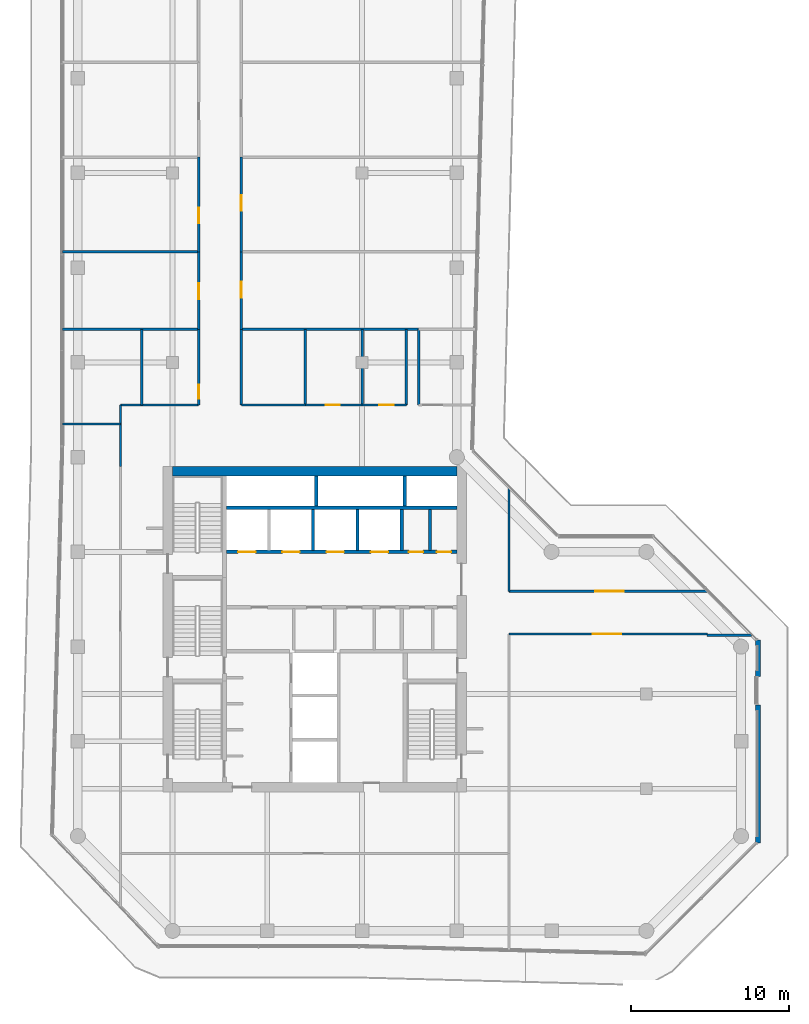
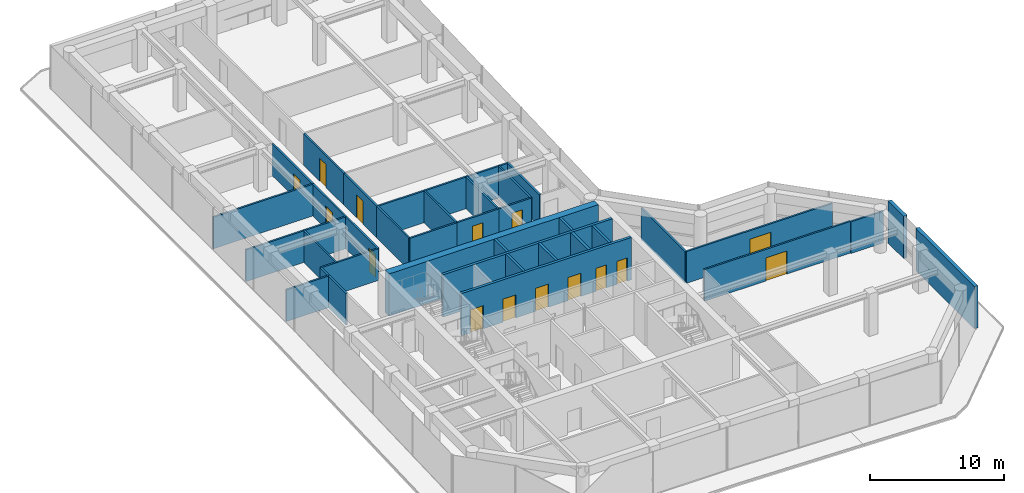
# One storey, part 16 of 19: 35 walls, 15 doors, 15 openings.
"""IFC4 building model written with IfcOpenShell, lengths in metres."""

from ifc_helpers import new_model, si_unit, direction, frame, frame_2d, origin, place, context, subcontext, project, spatial, rectangle, extrude, material, layer, layer_set, type_object, element, fill, save


model = new_model("IFC4")

# Units and contexts
model_context = context("Model", 3, precision=1e-05, world=origin(), true_north=direction((0.0, 1.0)))
body_context = subcontext(model_context, "Body", "Model", "MODEL_VIEW")
ifc_project = project(units=[si_unit("LENGTHUNIT", "METRE"), si_unit("AREAUNIT", "SQUARE_METRE"), si_unit("VOLUMEUNIT", "CUBIC_METRE"), si_unit("PLANEANGLEUNIT", "RADIAN"), si_unit("MASSUNIT", "GRAM", prefix="KILO")], contexts=[model_context])

# Site, building, storey
site_placement = place(None, origin())
site = spatial("IfcSite", under=ifc_project, at=site_placement, CompositionType="ELEMENT")
building_placement = place(site_placement, origin())
building = spatial("IfcBuilding", under=site, at=building_placement, Name="Welwitschia Terrace Campus", CompositionType="ELEMENT")
storey_placement = place(building_placement, frame((0.0, 0.0, 163.39990234375)))
storey = spatial("IfcBuildingStorey", under=building, at=storey_placement, Name="L36", CompositionType="ELEMENT", Elevation=163.39990234375)

# Wall
ifc_material_1 = material(Name="Concrete C32/40", Category="concrete")
ifc_layer_1 = layer(ifc_material_1, 0.175048828125)
ifc_layer_set_1 = layer_set([ifc_layer_1], Name="Concrete C32/40")
wall_type_1 = type_object("IfcWallType", Name="Core partition 175 Concrete C32/40", PredefinedType="PARTITIONING", material=ifc_layer_set_1)
wall_1_placement = place(storey_placement, frame((22.300048828125, 20.10009765625, 0.0), z_axis=(0.0, 0.0, 1.0), x_axis=(0.0, 1.0, 0.0)))
element("IfcWall", 1, at=wall_1_placement, inside=storey, type_object=wall_type_1, Name="Core partition", PredefinedType="PARTITIONING", context=body_context, shape_type="SweptSolid", body=[
    extrude(rectangle(XDim=2.599853515625, YDim=0.175048828125, at=frame_2d((1.2998046875, 0.0))), origin(), (0.0, 0.0, 1.0), 3.85009765625),
])

# Wall, openings, doors
ifc_material_2 = material(Name="Concrete C32/40", Category="concrete")
ifc_layer_2 = layer(ifc_material_2, 0.22509765625)
ifc_layer_set_2 = layer_set([ifc_layer_2], Name="Concrete C32/40")
wall_type_2 = type_object("IfcWallType", Name="Core partition 225 Concrete C32/40", PredefinedType="PARTITIONING", material=ifc_layer_set_2)
wall_2_placement = place(storey_placement, frame((24.0, 20.0, 0.0), z_axis=(0.0, 0.0, 1.0), x_axis=(-1.0, 0.0, 0.0)))
wall_2 = element("IfcWall", 2, at=wall_2_placement, inside=storey, type_object=wall_type_2, Name="Shaft wall", PredefinedType="PARTITIONING", context=body_context, shape_type="SweptSolid", body=[
    extrude(rectangle(XDim=14.60009765625, YDim=0.22509765625, at=frame_2d((7.300048828125, 0.0))), origin(), (0.0, 0.0, 1.0), 3.85009765625),
])
opening_1_placement = place(wall_2_placement, frame((12.75, 0.0, 0.0)))
opening_1 = element("IfcOpeningElement", 3, at=opening_1_placement, cuts=wall_2, Name="Opening LD", PredefinedType="OPENING", context=body_context, shape_type="SweptSolid", body=[
    extrude(rectangle(XDim=1.10009765625, YDim=2.10009765625, at=frame_2d((0.550048828125, 1.050048828125))), frame((0.0, 0.12255859375, 0.0), z_axis=(0.0, -1.0, 0.0), x_axis=(1.0, 0.0, 0.0)), (0.0, 0.0, 1.0), 0.2451171875),
])
opening_2_placement = place(wall_2_placement, frame((9.949951171875, 0.0, 0.0)))
opening_2 = element("IfcOpeningElement", 4, at=opening_2_placement, cuts=wall_2, Name="Opening LD", PredefinedType="OPENING", context=body_context, shape_type="SweptSolid", body=[
    extrude(rectangle(XDim=1.10009765625, YDim=2.10009765625, at=frame_2d((0.550048828125, 1.050048828125))), frame((0.0, 0.12255859375, 0.0), z_axis=(0.0, -1.0, 0.0), x_axis=(1.0, 0.0, 0.0)), (0.0, 0.0, 1.0), 0.2451171875),
])
opening_3_placement = place(wall_2_placement, frame((7.14990234375, 0.0, 0.0)))
opening_3 = element("IfcOpeningElement", 5, at=opening_3_placement, cuts=wall_2, Name="Opening LD", PredefinedType="OPENING", context=body_context, shape_type="SweptSolid", body=[
    extrude(rectangle(XDim=1.10009765625, YDim=2.10009765625, at=frame_2d((0.550048828125, 1.050048828125))), frame((0.0, 0.12255859375, 0.0), z_axis=(0.0, -1.0, 0.0), x_axis=(1.0, 0.0, 0.0)), (0.0, 0.0, 1.0), 0.2451171875),
])
opening_4_placement = place(wall_2_placement, frame((4.35009765625, 0.0, 0.0)))
opening_4 = element("IfcOpeningElement", 6, at=opening_4_placement, cuts=wall_2, Name="Opening LD", PredefinedType="OPENING", context=body_context, shape_type="SweptSolid", body=[
    extrude(rectangle(XDim=1.10009765625, YDim=2.10009765625, at=frame_2d((0.550048828125, 1.050048828125))), frame((0.0, 0.12255859375, 0.0), z_axis=(0.0, -1.0, 0.0), x_axis=(1.0, 0.0, 0.0)), (0.0, 0.0, 1.0), 0.2451171875),
])
opening_5_placement = place(wall_2_placement, frame((2.137451171875, 0.0, 0.0)))
opening_5 = element("IfcOpeningElement", 7, at=opening_5_placement, cuts=wall_2, Name="Opening DR09", PredefinedType="OPENING", context=body_context, shape_type="SweptSolid", body=[
    extrude(rectangle(XDim=0.89990234375, YDim=2.10009765625, at=frame_2d((0.449951171875, 1.050048828125))), frame((0.0, 0.12255859375, 0.0), z_axis=(0.0, -1.0, 0.0), x_axis=(1.0, 0.0, 0.0)), (0.0, 0.0, 1.0), 0.2451171875),
])
opening_6_placement = place(wall_2_placement, frame((0.362548828125, 0.0, 0.0)))
opening_6 = element("IfcOpeningElement", 8, at=opening_6_placement, cuts=wall_2, Name="Opening DR09", PredefinedType="OPENING", context=body_context, shape_type="SweptSolid", body=[
    extrude(rectangle(XDim=0.89990234375, YDim=2.10009765625, at=frame_2d((0.449951171875, 1.050048828125))), frame((0.0, 0.12255859375, 0.0), z_axis=(0.0, -1.0, 0.0), x_axis=(1.0, 0.0, 0.0)), (0.0, 0.0, 1.0), 0.2451171875),
])
ifc_material_3 = material(Name="Steel S275", Category="steel")
door_type_1 = type_object("IfcDoorType", Name="Core door DR09", OperationType="SINGLE_SWING_LEFT", PredefinedType="DOOR", material=ifc_material_3)
door_1_placement = place(opening_5_placement, origin())
door_1 = element("IfcDoor", 9, at=door_1_placement, inside=storey, type_object=door_type_1, Name="Door EH1-D", OperationType="SINGLE_SWING_LEFT", OverallHeight=2.10009765625, OverallWidth=0.89990234375, PredefinedType="DOOR", context=body_context, shape_type="SweptSolid", body=[
    extrude(rectangle(XDim=0.89990234375, YDim=2.10009765625, at=frame_2d((0.449951171875, 1.050048828125))), frame((0.0, 0.02490234375, 0.0), z_axis=(0.0, -1.0, 0.0), x_axis=(1.0, 0.0, 0.0)), (0.0, 0.0, 1.0), 0.050048828125),
])
fill(opening_5, door_1)
door_2_placement = place(opening_6_placement, origin())
door_2 = element("IfcDoor", 10, at=door_2_placement, inside=storey, type_object=door_type_1, Name="Door EH2-D", OperationType="SINGLE_SWING_LEFT", OverallHeight=2.10009765625, OverallWidth=0.89990234375, PredefinedType="DOOR", context=body_context, shape_type="SweptSolid", body=[
    extrude(rectangle(XDim=0.89990234375, YDim=2.10009765625, at=frame_2d((0.449951171875, 1.050048828125))), frame((0.0, 0.02490234375, 0.0), z_axis=(0.0, -1.0, 0.0), x_axis=(1.0, 0.0, 0.0)), (0.0, 0.0, 1.0), 0.050048828125),
])
fill(opening_6, door_2)
ifc_material_4 = material(Name="Stainless steel 304", Category="steel")
door_type_2 = type_object("IfcDoorType", Name="Lift landing door", OperationType="DOUBLE_DOOR_SLIDING", PredefinedType="DOOR", material=ifc_material_4)
door_3_placement = place(opening_1_placement, origin())
door_3 = element("IfcDoor", 11, at=door_3_placement, inside=storey, type_object=door_type_2, Name="Landing door HR1", OperationType="DOUBLE_DOOR_SLIDING", OverallHeight=2.10009765625, OverallWidth=1.10009765625, PredefinedType="DOOR", context=body_context, shape_type="SweptSolid", body=[
    extrude(rectangle(XDim=1.10009765625, YDim=2.10009765625, at=frame_2d((0.550048828125, 1.050048828125))), frame((0.0, 0.02490234375, 0.0), z_axis=(0.0, -1.0, 0.0), x_axis=(1.0, 0.0, 0.0)), (0.0, 0.0, 1.0), 0.050048828125),
])
fill(opening_1, door_3)
door_4_placement = place(opening_2_placement, origin())
door_4 = element("IfcDoor", 12, at=door_4_placement, inside=storey, type_object=door_type_2, Name="Landing door HR2", OperationType="DOUBLE_DOOR_SLIDING", OverallHeight=2.10009765625, OverallWidth=1.10009765625, PredefinedType="DOOR", context=body_context, shape_type="SweptSolid", body=[
    extrude(rectangle(XDim=1.10009765625, YDim=2.10009765625, at=frame_2d((0.550048828125, 1.050048828125))), frame((0.0, 0.02490234375, 0.0), z_axis=(0.0, -1.0, 0.0), x_axis=(1.0, 0.0, 0.0)), (0.0, 0.0, 1.0), 0.050048828125),
])
fill(opening_2, door_4)
door_5_placement = place(opening_3_placement, origin())
door_5 = element("IfcDoor", 13, at=door_5_placement, inside=storey, type_object=door_type_2, Name="Landing door HR3", OperationType="DOUBLE_DOOR_SLIDING", OverallHeight=2.10009765625, OverallWidth=1.10009765625, PredefinedType="DOOR", context=body_context, shape_type="SweptSolid", body=[
    extrude(rectangle(XDim=1.10009765625, YDim=2.10009765625, at=frame_2d((0.550048828125, 1.050048828125))), frame((0.0, 0.02490234375, 0.0), z_axis=(0.0, -1.0, 0.0), x_axis=(1.0, 0.0, 0.0)), (0.0, 0.0, 1.0), 0.050048828125),
])
fill(opening_3, door_5)
door_6_placement = place(opening_4_placement, origin())
door_6 = element("IfcDoor", 14, at=door_6_placement, inside=storey, type_object=door_type_2, Name="Landing door HR4", OperationType="DOUBLE_DOOR_SLIDING", OverallHeight=2.10009765625, OverallWidth=1.10009765625, PredefinedType="DOOR", context=body_context, shape_type="SweptSolid", body=[
    extrude(rectangle(XDim=1.10009765625, YDim=2.10009765625, at=frame_2d((0.550048828125, 1.050048828125))), frame((0.0, 0.02490234375, 0.0), z_axis=(0.0, -1.0, 0.0), x_axis=(1.0, 0.0, 0.0)), (0.0, 0.0, 1.0), 0.050048828125),
])
fill(opening_4, door_6)

# Walls
wall_3_placement = place(storey_placement, frame((9.39990234375, 22.800048828125, 0.0), z_axis=(0.0, 0.0, 1.0), x_axis=(1.0, 0.0, 0.0)))
element("IfcWall", 15, at=wall_3_placement, inside=storey, type_object=wall_type_2, Name="Shaft wall", PredefinedType="PARTITIONING", context=body_context, shape_type="SweptSolid", body=[
    extrude(rectangle(XDim=14.60009765625, YDim=0.22509765625, at=frame_2d((7.300048828125, 0.0))), origin(), (0.0, 0.0, 1.0), 3.85009765625),
])
wall_4_placement = place(storey_placement, frame((20.5, 20.10009765625, 0.0), z_axis=(0.0, 0.0, 1.0), x_axis=(0.0, 1.0, 0.0)))
element("IfcWall", 16, at=wall_4_placement, inside=storey, type_object=wall_type_2, Name="Shaft wall", PredefinedType="PARTITIONING", context=body_context, shape_type="SweptSolid", body=[
    extrude(rectangle(XDim=2.599853515625, YDim=0.22509765625, at=frame_2d((1.2998046875, 0.0))), origin(), (0.0, 0.0, 1.0), 3.85009765625),
])
ifc_material_5 = material(Name="Concrete C50/60", Category="concrete")
ifc_layer_3 = layer(ifc_material_5, 0.199951171875)
ifc_layer_set_3 = layer_set([ifc_layer_3], Name="Concrete C50/60")
wall_type_3 = type_object("IfcWallType", Name="Core wall 200 Concrete C50/60", PredefinedType="SHEAR", material=ifc_layer_set_3)
for number, where, z_axis, x_axis, name in (
    (17, (15.10009765625, 22.89990234375, 0.0), (0.0, 0.0, 1.0), (0.0, 1.0, 0.0), "Core wall"),
    (18, (20.699951171875, 22.89990234375, 0.0), (0.0, 0.0, 1.0), (0.0, 1.0, 0.0), "Core wall"),
):
    element("IfcWall", number, at=place(storey_placement, frame(where, z_axis=z_axis, x_axis=x_axis)), inside=storey, type_object=wall_type_3, Name=name, PredefinedType="SHEAR", context=body_context, shape_type="SweptSolid", body=[
        extrude(rectangle(XDim=1.900146484375, YDim=0.199951171875, at=frame_2d((0.9501953125, 0.0))), origin(), (0.0, 0.0, 1.0), 3.85009765625),
    ])
ifc_material_6 = material(Name="Concrete C60/75", Category="concrete")
ifc_layer_4 = layer(ifc_material_6, 0.60009765625)
ifc_layer_set_4 = layer_set([ifc_layer_4], Name="Concrete C60/75")
wall_type_4 = type_object("IfcWallType", Name="Core wall 600 Concrete C60/75", PredefinedType="SHEAR", material=ifc_layer_set_4)
wall_5_placement = place(storey_placement, frame((6.0, 25.10009765625, 0.0), z_axis=(0.0, 0.0, 1.0), x_axis=(1.0, 0.0, 0.0)))
element("IfcWall", 19, at=wall_5_placement, inside=storey, type_object=wall_type_4, Name="Core outer wall", PredefinedType="SHEAR", context=body_context, shape_type="SweptSolid", body=[
    extrude(rectangle(XDim=18.0, YDim=0.60009765625, at=frame_2d((9.0, 0.0))), origin(), (0.0, 0.0, 1.0), 3.85009765625),
])
ifc_material_7 = material(Name="Gypsum board on steel studs", Category="steel")
ifc_layer_5 = layer(ifc_material_7, 0.14990234375)
ifc_layer_set_5 = layer_set([ifc_layer_5], Name="Gypsum board on steel studs")
wall_type_5 = type_object("IfcWallType", Name="Corridor partition 150 EI 30", PredefinedType="PARTITIONING", material=ifc_layer_set_5)
wall_6_placement = place(storey_placement, frame((-0.97998046875, 28.10009765625, 0.0), z_axis=(0.0, 0.0, 1.0), x_axis=(1.0, 0.0, 0.0)))
element("IfcWall", 20, at=wall_6_placement, inside=storey, type_object=wall_type_5, Name="Partition", PredefinedType="PARTITIONING", context=body_context, shape_type="SweptSolid", body=[
    extrude(rectangle(XDim=3.679931640625, YDim=0.14990234375, at=frame_2d((1.83984375, 0.0))), origin(), (0.0, 0.0, 1.0), 2.880126953125),
])
for number, where, z_axis, x_axis, name in (
    (21, (-0.97998046875, 34.10009765625, 0.0), (0.0, 0.0, 1.0), (1.0, 0.0, 0.0), "Partition"),
    (22, (-0.97998046875, 39.0, 0.0), (0.0, 0.0, 1.0), (1.0, 0.0, 0.0), "Partition"),
):
    element("IfcWall", number, at=place(storey_placement, frame(where, z_axis=z_axis, x_axis=x_axis)), inside=storey, type_object=wall_type_5, Name=name, PredefinedType="PARTITIONING", context=body_context, shape_type="SweptSolid", body=[
        extrude(rectangle(XDim=8.6298828125, YDim=0.14990234375, at=frame_2d((4.31494140625, 0.0))), origin(), (0.0, 0.0, 1.0), 2.880126953125),
    ])
wall_7_placement = place(storey_placement, frame((2.699951171875, 25.39990234375, 0.0), z_axis=(0.0, 0.0, 1.0), x_axis=(0.0, 1.0, 0.0)))
element("IfcWall", 23, at=wall_7_placement, inside=storey, type_object=wall_type_5, Name="Partition", PredefinedType="PARTITIONING", context=body_context, shape_type="SweptSolid", body=[
    extrude(rectangle(XDim=3.900146484375, YDim=0.14990234375, at=frame_2d((1.9501953125, 0.0))), origin(), (0.0, 0.0, 1.0), 2.880126953125),
])
wall_8_placement = place(storey_placement, frame((2.699951171875, 29.300048828125, 0.0), z_axis=(0.0, 0.0, 1.0), x_axis=(1.0, 0.0, 0.0)))
element("IfcWall", 24, at=wall_8_placement, inside=storey, type_object=wall_type_5, Name="Partition", PredefinedType="PARTITIONING", context=body_context, shape_type="SweptSolid", body=[
    extrude(rectangle(XDim=4.949951171875, YDim=0.14990234375, at=frame_2d((2.47509765625, 0.0))), origin(), (0.0, 0.0, 1.0), 2.880126953125),
])
wall_9_placement = place(storey_placement, frame((4.050048828125, 29.300048828125, 0.0), z_axis=(0.0, 0.0, 1.0), x_axis=(0.0, 1.0, 0.0)))
element("IfcWall", 25, at=wall_9_placement, inside=storey, type_object=wall_type_5, Name="Partition", PredefinedType="PARTITIONING", context=body_context, shape_type="SweptSolid", body=[
    extrude(rectangle(XDim=4.800048828125, YDim=0.14990234375, at=frame_2d((2.39990234375, 0.0))), origin(), (0.0, 0.0, 1.0), 2.880126953125),
])

# Wall, opening, door
wall_10_placement = place(storey_placement, frame((7.64990234375, 29.300048828125, 0.0), z_axis=(0.0, 0.0, 1.0), x_axis=(0.0, 1.0, 0.0)))
wall_10 = element("IfcWall", 26, at=wall_10_placement, inside=storey, type_object=wall_type_5, Name="Partition", PredefinedType="PARTITIONING", context=body_context, shape_type="SweptSolid", body=[
    extrude(rectangle(XDim=4.800048828125, YDim=0.14990234375, at=frame_2d((2.39990234375, 0.0))), origin(), (0.0, 0.0, 1.0), 2.880126953125),
])
opening_7_placement = place(wall_10_placement, frame((0.39990234375, 0.0, 0.0)))
opening_7 = element("IfcOpeningElement", 27, at=opening_7_placement, cuts=wall_10, Name="Opening DI09", PredefinedType="OPENING", context=body_context, shape_type="SweptSolid", body=[
    extrude(rectangle(XDim=0.89990234375, YDim=2.10009765625, at=frame_2d((0.449951171875, 1.050048828125))), frame((0.0, 0.0849609375, 0.0), z_axis=(0.0, -1.0, 0.0), x_axis=(1.0, 0.0, 0.0)), (0.0, 0.0, 1.0), 0.169921875),
])
ifc_material_8 = material(Name="Timber veneered door", Category="wood")
door_type_3 = type_object("IfcDoorType", Name="Interior door DI09", OperationType="NOTDEFINED", PredefinedType="DOOR", material=ifc_material_8)
door_7_placement = place(opening_7_placement, origin())
door_7 = element("IfcDoor", 28, at=door_7_placement, inside=storey, type_object=door_type_3, Name="Door L36 727", OperationType="SINGLE_SWING_RIGHT", OverallHeight=2.10009765625, OverallWidth=0.89990234375, PredefinedType="DOOR", context=body_context, shape_type="SweptSolid", body=[
    extrude(rectangle(XDim=0.89990234375, YDim=2.10009765625, at=frame_2d((0.449951171875, 1.050048828125))), frame((0.0, 0.02490234375, 0.0), z_axis=(0.0, -1.0, 0.0), x_axis=(1.0, 0.0, 0.0)), (0.0, 0.0, 1.0), 0.050048828125),
])
fill(opening_7, door_7)

wall_11_placement = place(storey_placement, frame((7.64990234375, 34.10009765625, 0.0), z_axis=(0.0, 0.0, 1.0), x_axis=(0.0, 1.0, 0.0)))
wall_11 = element("IfcWall", 29, at=wall_11_placement, inside=storey, type_object=wall_type_5, Name="Partition", PredefinedType="PARTITIONING", context=body_context, shape_type="SweptSolid", body=[
    extrude(rectangle(XDim=4.89990234375, YDim=0.14990234375, at=frame_2d((2.449951171875, 0.0))), origin(), (0.0, 0.0, 1.0), 2.880126953125),
])
opening_8_placement = place(wall_11_placement, frame((1.89990234375, 0.0, 0.0)))
opening_8 = element("IfcOpeningElement", 30, at=opening_8_placement, cuts=wall_11, Name="Opening DI10", PredefinedType="OPENING", context=body_context, shape_type="SweptSolid", body=[
    extrude(rectangle(XDim=1.0, YDim=2.10009765625, at=frame_2d((0.5, 1.050048828125))), frame((0.0, 0.0849609375, 0.0), z_axis=(0.0, -1.0, 0.0), x_axis=(1.0, 0.0, 0.0)), (0.0, 0.0, 1.0), 0.169921875),
])
ifc_material_9 = material(Name="Timber veneered door", Category="wood")
door_type_4 = type_object("IfcDoorType", Name="Interior door DI10", OperationType="NOTDEFINED", PredefinedType="DOOR", material=ifc_material_9)
door_8_placement = place(opening_8_placement, origin())
door_8 = element("IfcDoor", 31, at=door_8_placement, inside=storey, type_object=door_type_4, Name="Door L36 728", OperationType="SINGLE_SWING_LEFT", OverallHeight=2.10009765625, OverallWidth=1.0, PredefinedType="DOOR", context=body_context, shape_type="SweptSolid", body=[
    extrude(rectangle(XDim=1.0, YDim=2.10009765625, at=frame_2d((0.5, 1.050048828125))), frame((0.0, 0.02490234375, 0.0), z_axis=(0.0, -1.0, 0.0), x_axis=(1.0, 0.0, 0.0)), (0.0, 0.0, 1.0), 0.050048828125),
])
fill(opening_8, door_8)

wall_12_placement = place(storey_placement, frame((7.64990234375, 39.0, 0.0), z_axis=(0.0, 0.0, 1.0), x_axis=(0.0, 1.0, 0.0)))
wall_12 = element("IfcWall", 32, at=wall_12_placement, inside=storey, type_object=wall_type_5, Name="Partition", PredefinedType="PARTITIONING", context=body_context, shape_type="SweptSolid", body=[
    extrude(rectangle(XDim=6.0, YDim=0.14990234375, at=frame_2d((3.0, 0.0))), origin(), (0.0, 0.0, 1.0), 2.880126953125),
])
opening_9_placement = place(wall_12_placement, frame((1.800048828125, 0.0, 0.0)))
opening_9 = element("IfcOpeningElement", 33, at=opening_9_placement, cuts=wall_12, Name="Opening DI10", PredefinedType="OPENING", context=body_context, shape_type="SweptSolid", body=[
    extrude(rectangle(XDim=1.0, YDim=2.10009765625, at=frame_2d((0.5, 1.050048828125))), frame((0.0, 0.0849609375, 0.0), z_axis=(0.0, -1.0, 0.0), x_axis=(1.0, 0.0, 0.0)), (0.0, 0.0, 1.0), 0.169921875),
])
door_9_placement = place(opening_9_placement, origin())
door_9 = element("IfcDoor", 34, at=door_9_placement, inside=storey, type_object=door_type_4, Name="Door L36 729", OperationType="SINGLE_SWING_RIGHT", OverallHeight=2.10009765625, OverallWidth=1.0, PredefinedType="DOOR", context=body_context, shape_type="SweptSolid", body=[
    extrude(rectangle(XDim=1.0, YDim=2.10009765625, at=frame_2d((0.5, 1.050048828125))), frame((0.0, 0.02490234375, 0.0), z_axis=(0.0, -1.0, 0.0), x_axis=(1.0, 0.0, 0.0)), (0.0, 0.0, 1.0), 0.050048828125),
])
fill(opening_9, door_9)

# Walls
wall_13_placement = place(storey_placement, frame((10.35009765625, 29.300048828125, 0.0), z_axis=(0.0, 0.0, 1.0), x_axis=(0.0, 1.0, 0.0)))
element("IfcWall", 35, at=wall_13_placement, inside=storey, type_object=wall_type_5, Name="Partition", PredefinedType="PARTITIONING", context=body_context, shape_type="SweptSolid", body=[
    extrude(rectangle(XDim=4.800048828125, YDim=0.14990234375, at=frame_2d((2.39990234375, 0.0))), origin(), (0.0, 0.0, 1.0), 2.880126953125),
])
wall_14_placement = place(storey_placement, frame((10.35009765625, 29.300048828125, 0.0), z_axis=(0.0, 0.0, 1.0), x_axis=(1.0, 0.0, 0.0)))
element("IfcWall", 36, at=wall_14_placement, inside=storey, type_object=wall_type_5, Name="Partition", PredefinedType="PARTITIONING", context=body_context, shape_type="SweptSolid", body=[
    extrude(rectangle(XDim=4.0498046875, YDim=0.14990234375, at=frame_2d((2.02490234375, 0.0))), origin(), (0.0, 0.0, 1.0), 2.880126953125),
])
wall_15_placement = place(storey_placement, frame((10.35009765625, 34.10009765625, 0.0), z_axis=(0.0, 0.0, 1.0), x_axis=(1.0, 0.0, 0.0)))
element("IfcWall", 37, at=wall_15_placement, inside=storey, type_object=wall_type_5, Name="Partition", PredefinedType="PARTITIONING", context=body_context, shape_type="SweptSolid", body=[
    extrude(rectangle(XDim=11.22998046875, YDim=0.14990234375, at=frame_2d((5.614990234375, 0.0))), origin(), (0.0, 0.0, 1.0), 2.880126953125),
])

# Wall, opening, door
wall_16_placement = place(storey_placement, frame((10.35009765625, 39.0, 0.0), z_axis=(0.0, 0.0, 1.0), x_axis=(0.0, -1.0, 0.0)))
wall_16 = element("IfcWall", 38, at=wall_16_placement, inside=storey, type_object=wall_type_5, Name="Partition", PredefinedType="PARTITIONING", context=body_context, shape_type="SweptSolid", body=[
    extrude(rectangle(XDim=4.89990234375, YDim=0.14990234375, at=frame_2d((2.449951171875, 0.0))), origin(), (0.0, 0.0, 1.0), 2.880126953125),
])
opening_10_placement = place(wall_16_placement, frame((1.89990234375, 0.0, 0.0)))
opening_10 = element("IfcOpeningElement", 39, at=opening_10_placement, cuts=wall_16, Name="Opening DI10", PredefinedType="OPENING", context=body_context, shape_type="SweptSolid", body=[
    extrude(rectangle(XDim=1.0, YDim=2.10009765625, at=frame_2d((0.5, 1.050048828125))), frame((0.0, 0.0849609375, 0.0), z_axis=(0.0, -1.0, 0.0), x_axis=(1.0, 0.0, 0.0)), (0.0, 0.0, 1.0), 0.169921875),
])
door_10_placement = place(opening_10_placement, origin())
door_10 = element("IfcDoor", 40, at=door_10_placement, inside=storey, type_object=door_type_4, Name="Door L36 732", OperationType="SINGLE_SWING_LEFT", OverallHeight=2.10009765625, OverallWidth=1.0, PredefinedType="DOOR", context=body_context, shape_type="SweptSolid", body=[
    extrude(rectangle(XDim=1.0, YDim=2.10009765625, at=frame_2d((0.5, 1.050048828125))), frame((0.0, 0.02490234375, 0.0), z_axis=(0.0, -1.0, 0.0), x_axis=(1.0, 0.0, 0.0)), (0.0, 0.0, 1.0), 0.050048828125),
])
fill(opening_10, door_10)

wall_17_placement = place(storey_placement, frame((10.35009765625, 45.0, 0.0), z_axis=(0.0, 0.0, 1.0), x_axis=(0.0, -1.0, 0.0)))
wall_17 = element("IfcWall", 41, at=wall_17_placement, inside=storey, type_object=wall_type_5, Name="Partition", PredefinedType="PARTITIONING", context=body_context, shape_type="SweptSolid", body=[
    extrude(rectangle(XDim=6.0, YDim=0.14990234375, at=frame_2d((3.0, 0.0))), origin(), (0.0, 0.0, 1.0), 2.880126953125),
])
opening_11_placement = place(wall_17_placement, frame((2.39990234375, 0.0, 0.0)))
opening_11 = element("IfcOpeningElement", 42, at=opening_11_placement, cuts=wall_17, Name="Opening DI10", PredefinedType="OPENING", context=body_context, shape_type="SweptSolid", body=[
    extrude(rectangle(XDim=1.0, YDim=2.10009765625, at=frame_2d((0.5, 1.050048828125))), frame((0.0, 0.0849609375, 0.0), z_axis=(0.0, -1.0, 0.0), x_axis=(1.0, 0.0, 0.0)), (0.0, 0.0, 1.0), 0.169921875),
])
door_11_placement = place(opening_11_placement, origin())
door_11 = element("IfcDoor", 43, at=door_11_placement, inside=storey, type_object=door_type_4, Name="Door L36 733", OperationType="SINGLE_SWING_RIGHT", OverallHeight=2.10009765625, OverallWidth=1.0, PredefinedType="DOOR", context=body_context, shape_type="SweptSolid", body=[
    extrude(rectangle(XDim=1.0, YDim=2.10009765625, at=frame_2d((0.5, 1.050048828125))), frame((0.0, 0.02490234375, 0.0), z_axis=(0.0, -1.0, 0.0), x_axis=(1.0, 0.0, 0.0)), (0.0, 0.0, 1.0), 0.050048828125),
])
fill(opening_11, door_11)

# Wall
wall_18_placement = place(storey_placement, frame((14.39990234375, 29.300048828125, 0.0), z_axis=(0.0, 0.0, 1.0), x_axis=(0.0, 1.0, 0.0)))
element("IfcWall", 44, at=wall_18_placement, inside=storey, type_object=wall_type_5, Name="Partition", PredefinedType="PARTITIONING", context=body_context, shape_type="SweptSolid", body=[
    extrude(rectangle(XDim=4.800048828125, YDim=0.14990234375, at=frame_2d((2.39990234375, 0.0))), origin(), (0.0, 0.0, 1.0), 2.880126953125),
])

# Wall, opening, door
wall_19_placement = place(storey_placement, frame((14.39990234375, 29.300048828125, 0.0), z_axis=(0.0, 0.0, 1.0), x_axis=(1.0, 0.0, 0.0)))
wall_19 = element("IfcWall", 45, at=wall_19_placement, inside=storey, type_object=wall_type_5, Name="Partition", PredefinedType="PARTITIONING", context=body_context, shape_type="SweptSolid", body=[
    extrude(rectangle(XDim=3.60009765625, YDim=0.14990234375, at=frame_2d((1.800048828125, 0.0))), origin(), (0.0, 0.0, 1.0), 2.880126953125),
])
opening_12_placement = place(wall_19_placement, frame((1.300048828125, 0.0, 0.0)))
opening_12 = element("IfcOpeningElement", 46, at=opening_12_placement, cuts=wall_19, Name="Opening DI09", PredefinedType="OPENING", context=body_context, shape_type="SweptSolid", body=[
    extrude(rectangle(XDim=0.89990234375, YDim=2.10009765625, at=frame_2d((0.449951171875, 1.050048828125))), frame((0.0, 0.0849609375, 0.0), z_axis=(0.0, -1.0, 0.0), x_axis=(1.0, 0.0, 0.0)), (0.0, 0.0, 1.0), 0.169921875),
])
door_12_placement = place(opening_12_placement, origin())
door_12 = element("IfcDoor", 47, at=door_12_placement, inside=storey, type_object=door_type_3, Name="Door L36 736", OperationType="SINGLE_SWING_LEFT", OverallHeight=2.10009765625, OverallWidth=0.89990234375, PredefinedType="DOOR", context=body_context, shape_type="SweptSolid", body=[
    extrude(rectangle(XDim=0.89990234375, YDim=2.10009765625, at=frame_2d((0.449951171875, 1.050048828125))), frame((0.0, 0.02490234375, 0.0), z_axis=(0.0, -1.0, 0.0), x_axis=(1.0, 0.0, 0.0)), (0.0, 0.0, 1.0), 0.050048828125),
])
fill(opening_12, door_12)

# Wall
wall_20_placement = place(storey_placement, frame((18.0, 29.300048828125, 0.0), z_axis=(0.0, 0.0, 1.0), x_axis=(0.0, 1.0, 0.0)))
element("IfcWall", 48, at=wall_20_placement, inside=storey, type_object=wall_type_5, Name="Partition", PredefinedType="PARTITIONING", context=body_context, shape_type="SweptSolid", body=[
    extrude(rectangle(XDim=4.800048828125, YDim=0.14990234375, at=frame_2d((2.39990234375, 0.0))), origin(), (0.0, 0.0, 1.0), 2.880126953125),
])

# Wall, opening, door
wall_21_placement = place(storey_placement, frame((18.0, 29.300048828125, 0.0), z_axis=(0.0, 0.0, 1.0), x_axis=(1.0, 0.0, 0.0)))
wall_21 = element("IfcWall", 49, at=wall_21_placement, inside=storey, type_object=wall_type_5, Name="Partition", PredefinedType="PARTITIONING", context=body_context, shape_type="SweptSolid", body=[
    extrude(rectangle(XDim=2.800048828125, YDim=0.14990234375, at=frame_2d((1.39990234375, 0.0))), origin(), (0.0, 0.0, 1.0), 2.880126953125),
])
opening_13_placement = place(wall_21_placement, frame((1.10009765625, 0.0, 0.0)))
opening_13 = element("IfcOpeningElement", 50, at=opening_13_placement, cuts=wall_21, Name="Opening DI09", PredefinedType="OPENING", context=body_context, shape_type="SweptSolid", body=[
    extrude(rectangle(XDim=0.89990234375, YDim=2.10009765625, at=frame_2d((0.449951171875, 1.050048828125))), frame((0.0, 0.0849609375, 0.0), z_axis=(0.0, -1.0, 0.0), x_axis=(1.0, 0.0, 0.0)), (0.0, 0.0, 1.0), 0.169921875),
])
door_13_placement = place(opening_13_placement, origin())
door_13 = element("IfcDoor", 51, at=door_13_placement, inside=storey, type_object=door_type_3, Name="Door L36 737", OperationType="SINGLE_SWING_RIGHT", OverallHeight=2.10009765625, OverallWidth=0.89990234375, PredefinedType="DOOR", context=body_context, shape_type="SweptSolid", body=[
    extrude(rectangle(XDim=0.89990234375, YDim=2.10009765625, at=frame_2d((0.449951171875, 1.050048828125))), frame((0.0, 0.02490234375, 0.0), z_axis=(0.0, -1.0, 0.0), x_axis=(1.0, 0.0, 0.0)), (0.0, 0.0, 1.0), 0.050048828125),
])
fill(opening_13, door_13)

# Walls
for number, where, z_axis, x_axis, name in (
    (52, (20.800048828125, 29.300048828125, 0.0), (0.0, 0.0, 1.0), (0.0, 1.0, 0.0), "Partition"),
    (53, (21.580078125, 29.300048828125, 0.0), (0.0, 0.0, 1.0), (0.0, 1.0, 0.0), "Partition"),
):
    element("IfcWall", number, at=place(storey_placement, frame(where, z_axis=z_axis, x_axis=x_axis)), inside=storey, type_object=wall_type_5, Name=name, PredefinedType="PARTITIONING", context=body_context, shape_type="SweptSolid", body=[
        extrude(rectangle(XDim=4.800048828125, YDim=0.14990234375, at=frame_2d((2.39990234375, 0.0))), origin(), (0.0, 0.0, 1.0), 2.880126953125),
    ])

# Wall, opening, door
wall_22_placement = place(storey_placement, frame((27.300048828125, 14.800048828125, 0.0), z_axis=(0.0, 0.0, 1.0), x_axis=(1.0, 0.0, 0.0)))
wall_22 = element("IfcWall", 54, at=wall_22_placement, inside=storey, type_object=wall_type_5, Name="Partition", PredefinedType="PARTITIONING", context=body_context, shape_type="SweptSolid", body=[
    extrude(rectangle(XDim=12.570068359375, YDim=0.14990234375, at=frame_2d((6.28515625, 0.0))), origin(), (0.0, 0.0, 1.0), 2.880126953125),
])
opening_14_placement = place(wall_22_placement, frame((5.300048828125, 0.0, 0.0)))
opening_14 = element("IfcOpeningElement", 55, at=opening_14_placement, cuts=wall_22, Name="Opening DI18", PredefinedType="OPENING", context=body_context, shape_type="SweptSolid", body=[
    extrude(rectangle(XDim=1.800048828125, YDim=2.10009765625, at=frame_2d((0.89990234375, 1.050048828125))), frame((0.0, 0.0849609375, 0.0), z_axis=(0.0, -1.0, 0.0), x_axis=(1.0, 0.0, 0.0)), (0.0, 0.0, 1.0), 0.169921875),
])
ifc_material_10 = material(Name="Timber veneered door", Category="wood")
door_type_5 = type_object("IfcDoorType", Name="Interior door DI18", OperationType="DOUBLE_DOOR_SINGLE_SWING", PredefinedType="DOOR", material=ifc_material_10)
door_14_placement = place(opening_14_placement, origin())
door_14 = element("IfcDoor", 56, at=door_14_placement, inside=storey, type_object=door_type_5, Name="Door L36 740", OperationType="SINGLE_SWING_LEFT", OverallHeight=2.10009765625, OverallWidth=1.800048828125, PredefinedType="DOOR", context=body_context, shape_type="SweptSolid", body=[
    extrude(rectangle(XDim=1.800048828125, YDim=2.10009765625, at=frame_2d((0.89990234375, 1.050048828125))), frame((0.0, 0.02490234375, 0.0), z_axis=(0.0, -1.0, 0.0), x_axis=(1.0, 0.0, 0.0)), (0.0, 0.0, 1.0), 0.050048828125),
])
fill(opening_14, door_14)

# Walls
wall_23_placement = place(storey_placement, frame((27.300048828125, 17.5, 0.0), z_axis=(0.0, 0.0, 1.0), x_axis=(0.0, 1.0, 0.0)))
element("IfcWall", 57, at=wall_23_placement, inside=storey, type_object=wall_type_5, Name="Partition", PredefinedType="PARTITIONING", context=body_context, shape_type="SweptSolid", body=[
    extrude(rectangle(XDim=6.580078125, YDim=0.14990234375, at=frame_2d((3.2900390625, 0.0))), origin(), (0.0, 0.0, 1.0), 2.880126953125),
])
wall_24_placement = place(storey_placement, frame((39.840087890625, 14.719970703125, 0.0), z_axis=(0.0, 0.0, 1.0), x_axis=(1.0, 0.0, 0.0)))
element("IfcWall", 58, at=wall_24_placement, inside=storey, type_object=wall_type_5, Name="Partition", PredefinedType="PARTITIONING", context=body_context, shape_type="SweptSolid", body=[
    extrude(rectangle(XDim=2.811767578125, YDim=0.14990234375, at=frame_2d((1.40576171875, 0.0))), origin(), (0.0, 0.0, 1.0), 2.880126953125),
])

# Wall, opening, door
wall_25_placement = place(storey_placement, frame((39.8798828125, 17.5, 0.0), z_axis=(0.0, 0.0, 1.0), x_axis=(-1.0, 0.0, 0.0)))
wall_25 = element("IfcWall", 59, at=wall_25_placement, inside=storey, type_object=wall_type_5, Name="Partition", PredefinedType="PARTITIONING", context=body_context, shape_type="SweptSolid", body=[
    extrude(rectangle(XDim=12.579833984375, YDim=0.14990234375, at=frame_2d((6.2900390625, 0.0))), origin(), (0.0, 0.0, 1.0), 2.880126953125),
])
opening_15_placement = place(wall_25_placement, frame((5.300048828125, 0.0, 0.0)))
opening_15 = element("IfcOpeningElement", 60, at=opening_15_placement, cuts=wall_25, Name="Opening DI18", PredefinedType="OPENING", context=body_context, shape_type="SweptSolid", body=[
    extrude(rectangle(XDim=1.800048828125, YDim=2.10009765625, at=frame_2d((0.89990234375, 1.050048828125))), frame((0.0, 0.0849609375, 0.0), z_axis=(0.0, -1.0, 0.0), x_axis=(1.0, 0.0, 0.0)), (0.0, 0.0, 1.0), 0.169921875),
])
door_15_placement = place(opening_15_placement, origin())
door_15 = element("IfcDoor", 61, at=door_15_placement, inside=storey, type_object=door_type_5, Name="Door L36 741", OperationType="SINGLE_SWING_LEFT", OverallHeight=2.10009765625, OverallWidth=1.800048828125, PredefinedType="DOOR", context=body_context, shape_type="SweptSolid", body=[
    extrude(rectangle(XDim=1.800048828125, YDim=2.10009765625, at=frame_2d((0.89990234375, 1.050048828125))), frame((0.0, 0.02490234375, 0.0), z_axis=(0.0, -1.0, 0.0), x_axis=(1.0, 0.0, 0.0)), (0.0, 0.0, 1.0), 0.050048828125),
])
fill(opening_15, door_15)

# Walls
ifc_material_11 = material(Name="Concrete C40/50", Category="concrete")
ifc_layer_6 = layer(ifc_material_11, 0.300048828125)
ifc_layer_set_6 = layer_set([ifc_layer_6], Name="Concrete C40/50")
wall_type_6 = type_object("IfcWallType", Name="Mass wall 300", PredefinedType="SOLIDWALL", material=ifc_layer_set_6)
wall_26_placement = place(storey_placement, frame((43.07958984375, 1.573486328125, 0.0), z_axis=(0.0, 0.0, 1.0), x_axis=(0.0, 1.0, 0.0)))
element("IfcWall", 62, at=wall_26_placement, inside=storey, type_object=wall_type_6, Name="Mass wall L36.6.0", PredefinedType="SOLIDWALL", context=body_context, shape_type="SweptSolid", body=[
    extrude(rectangle(XDim=8.73974609375, YDim=0.300048828125, at=frame_2d((4.369873046875, 0.0))), origin(), (0.0, 0.0, 1.0), 3.85009765625),
])
wall_27_placement = place(storey_placement, frame((43.07958984375, 12.11328125, 0.0), z_axis=(0.0, 0.0, 1.0), x_axis=(0.0, 1.0, 0.0)))
element("IfcWall", 63, at=wall_27_placement, inside=storey, type_object=wall_type_6, Name="Mass wall L36.6.1", PredefinedType="SOLIDWALL", context=body_context, shape_type="SweptSolid", body=[
    extrude(rectangle(XDim=2.313232421875, YDim=0.300048828125, at=frame_2d((1.15673828125, 0.0))), origin(), (0.0, 0.0, 1.0), 3.85009765625),
])
ifc_material_12 = material(Name="Concrete C32/40", Category="concrete")
ifc_layer_7 = layer(ifc_material_12, 0.199951171875)
ifc_layer_set_7 = layer_set([ifc_layer_7], Name="Concrete C32/40")
wall_type_7 = type_object("IfcWallType", Name="Shaft wall 200 Concrete C32/40", PredefinedType="SOLIDWALL", material=ifc_layer_set_7)
for number, where, z_axis, x_axis, name in (
    (64, (14.89990234375, 20.10009765625, 0.0), (0.0, 0.0, 1.0), (0.0, 1.0, 0.0), "Shaft wall"),
    (65, (17.699951171875, 20.10009765625, 0.0), (0.0, 0.0, 1.0), (0.0, 1.0, 0.0), "Shaft wall"),
):
    element("IfcWall", number, at=place(storey_placement, frame(where, z_axis=z_axis, x_axis=x_axis)), inside=storey, type_object=wall_type_7, Name=name, PredefinedType="SOLIDWALL", context=body_context, shape_type="SweptSolid", body=[
        extrude(rectangle(XDim=2.599853515625, YDim=0.199951171875, at=frame_2d((1.2998046875, 0.0))), origin(), (0.0, 0.0, 1.0), 3.85009765625),
    ])

save(model, "model.ifc")
